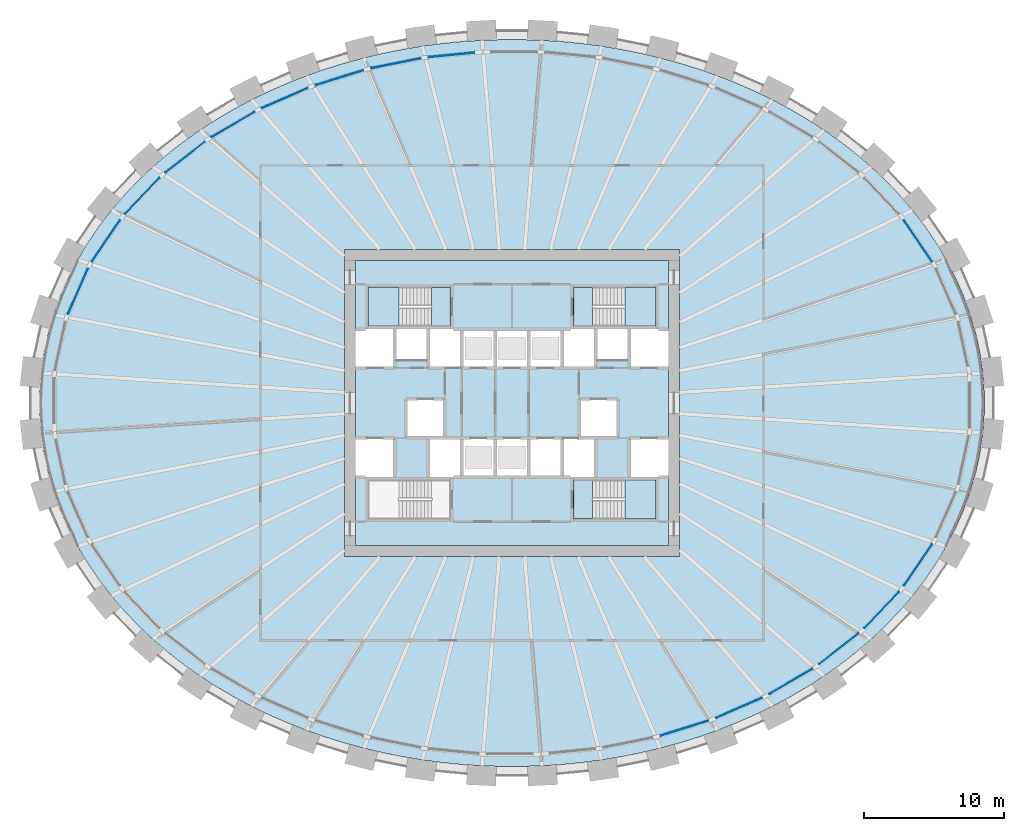
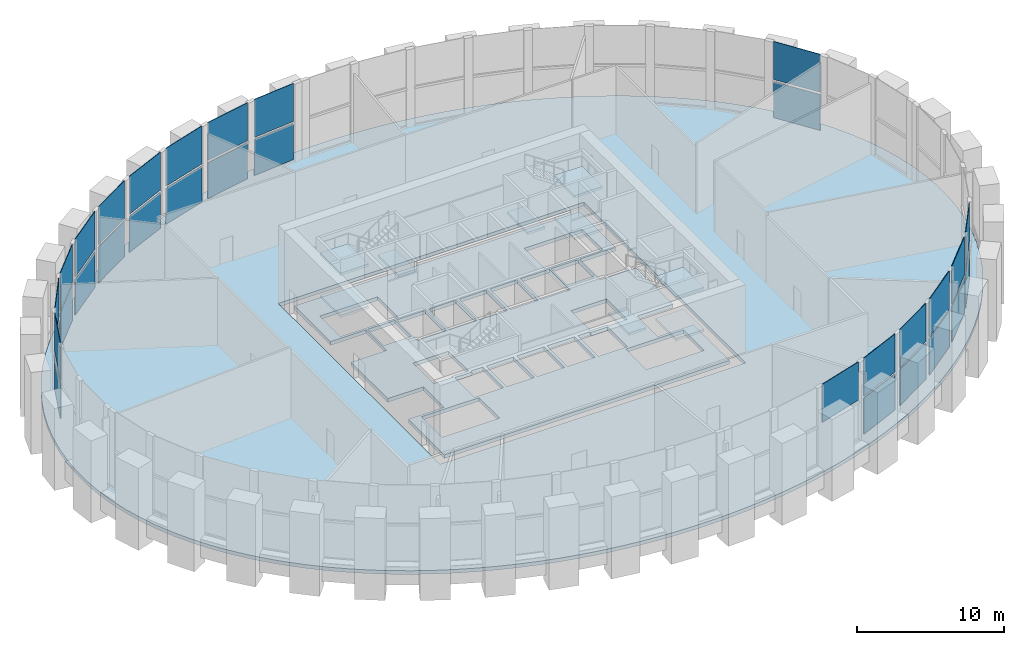
# One storey, part 6 of 16: 31 plates, 11 slabs, 6 elements without a shape of their own.
"""IFC4 building model written with IfcOpenShell, lengths in metres."""

from ifc_helpers import new_model, si_unit, direction, frame, origin, origin_2d, place, context, subcontext, project, spatial, polyline, rectangle, outline, extrude, source, transform, mapped, material, layer, layer_set, type_object, element, aggregate, save


model = new_model("IFC4")

# Units and contexts
model_context = context("Model", 3, precision=1e-05, world=origin(), true_north=direction((0.0, 1.0)))
body_context = subcontext(model_context, "Body", "Model", "MODEL_VIEW")
ifc_project = project(units=[si_unit("LENGTHUNIT", "METRE"), si_unit("AREAUNIT", "SQUARE_METRE"), si_unit("VOLUMEUNIT", "CUBIC_METRE"), si_unit("PLANEANGLEUNIT", "RADIAN"), si_unit("MASSUNIT", "GRAM", prefix="KILO")], contexts=[model_context])

# Site, building, storey
site_placement = place(None, origin())
site = spatial("IfcSite", under=ifc_project, at=site_placement, CompositionType="ELEMENT")
building_placement = place(site_placement, origin())
building = spatial("IfcBuilding", under=site, at=building_placement, Name="Embergate Tower", CompositionType="ELEMENT")
storey_placement = place(building_placement, frame((0.0, 0.0, 234.60009765625)))
storey = spatial("IfcBuildingStorey", under=building, at=storey_placement, Name="L54", CompositionType="ELEMENT", Elevation=234.60009765625)

# Slab
ifc_material_1 = material(Name="Concrete C50", Category="concrete")
ifc_layer_1 = layer(ifc_material_1, 0.300048828125)
ifc_layer_set_1 = layer_set([ifc_layer_1], Name="Concrete C50")
slab_type_1 = type_object("IfcSlabType", Name="Sky lobby floor slab C50 300", PredefinedType="FLOOR", material=ifc_layer_set_1)
shared_shape_1 = source(origin(), body_context, "Body", "SweptSolid", [
    extrude(outline(polyline([(0.0, 0.0), (1.43017578125, 0.0), (2.860107421875, 0.046142578125), (4.291015625, 0.14013671875), (5.715087890625, 0.280029296875), (7.130126953125, 0.466064453125), (8.547119140625, 0.701171875), (9.9501953125, 0.982177734375), (11.336181640625, 1.31005859375), (12.72509765625, 1.68896484375), (14.091064453125, 2.114013671875), (15.43212890625, 2.5849609375), (16.775146484375, 3.113037109375), (18.086181640625, 3.68603515625), (19.362060546875, 4.303955078125), (20.63818359375, 4.985107421875), (21.87109375, 5.7099609375), (23.06005859375, 6.47802734375), (24.240966796875, 7.316162109375), (25.3681640625, 8.196044921875), (26.440185546875, 9.115966796875), (27.4931640625, 10.113037109375), (28.47998046875, 11.14794921875), (29.399169921875, 12.218994140625), (30.281005859375, 13.3681640625), (31.086181640625, 14.551025390625), (31.81005859375, 15.76416015625), (32.47412109375, 17.048095703125), (33.048095703125, 18.357177734375), (33.531005859375, 19.68798828125), (33.93017578125, 21.071044921875), (34.231201171875, 22.468017578125), (34.43212890625, 23.8759765625), (34.5341796875, 25.302978515625), (34.5341796875, 26.733154296875), (34.43212890625, 28.16015625), (34.231201171875, 29.568115234375), (33.93017578125, 30.965087890625), (33.531005859375, 32.34814453125), (33.048095703125, 33.678955078125), (32.47412109375, 34.988037109375), (31.81005859375, 36.27197265625), (31.086181640625, 37.485107421875), (30.281005859375, 38.66796875), (29.399169921875, 39.817138671875), (28.47998046875, 40.88818359375), (27.4931640625, 41.923095703125), (26.440185546875, 42.920166015625), (25.3681640625, 43.840087890625), (24.240966796875, 44.719970703125), (23.06005859375, 45.55810546875), (21.87109375, 46.326171875), (20.63818359375, 47.051025390625), (19.362060546875, 47.732177734375), (18.086181640625, 48.35009765625), (16.775146484375, 48.923095703125), (15.43212890625, 49.451171875), (14.091064453125, 49.922119140625), (12.72509765625, 50.34716796875), (11.336181640625, 50.72607421875), (9.9501953125, 51.053955078125), (8.547119140625, 51.3349609375), (7.130126953125, 51.570068359375), (5.715087890625, 51.756103515625), (4.291015625, 51.89599609375), (2.860107421875, 51.989990234375), (1.43017578125, 52.0361328125), (0.0, 52.0361328125), (-1.429931640625, 51.989990234375), (-2.86083984375, 51.89599609375), (-4.284912109375, 51.756103515625), (-5.699951171875, 51.570068359375), (-7.116943359375, 51.3349609375), (-8.52001953125, 51.053955078125), (-9.906005859375, 50.72607421875), (-11.294921875, 50.34716796875), (-12.660888671875, 49.922119140625), (-14.001953125, 49.451171875), (-15.344970703125, 48.923095703125), (-16.656005859375, 48.35009765625), (-17.931884765625, 47.732177734375), (-19.2080078125, 47.051025390625), (-20.44091796875, 46.326171875), (-21.6298828125, 45.55810546875), (-22.810791015625, 44.719970703125), (-23.93798828125, 43.840087890625), (-25.010009765625, 42.920166015625), (-26.06298828125, 41.923095703125), (-27.0498046875, 40.88818359375), (-27.968994140625, 39.817138671875), (-28.850830078125, 38.66796875), (-29.656005859375, 37.485107421875), (-30.3798828125, 36.27197265625), (-31.0439453125, 34.988037109375), (-31.617919921875, 33.678955078125), (-32.100830078125, 32.34814453125), (-32.5, 30.965087890625), (-32.801025390625, 29.568115234375), (-33.001953125, 28.16015625), (-33.10400390625, 26.733154296875), (-33.10400390625, 25.302978515625), (-33.001953125, 23.8759765625), (-32.801025390625, 22.468017578125), (-32.5, 21.071044921875), (-32.100830078125, 19.68798828125), (-31.617919921875, 18.357177734375), (-31.0439453125, 17.048095703125), (-30.3798828125, 15.76416015625), (-29.656005859375, 14.551025390625), (-28.850830078125, 13.3681640625), (-27.968994140625, 12.218994140625), (-27.0498046875, 11.14794921875), (-26.06298828125, 10.113037109375), (-25.010009765625, 9.115966796875), (-23.93798828125, 8.196044921875), (-22.810791015625, 7.316162109375), (-21.6298828125, 6.47802734375), (-20.44091796875, 5.7099609375), (-19.2080078125, 4.985107421875), (-17.931884765625, 4.303955078125), (-16.656005859375, 3.68603515625), (-15.344970703125, 3.113037109375), (-14.001953125, 2.5849609375), (-12.660888671875, 2.114013671875), (-11.294921875, 1.68896484375), (-9.906005859375, 1.31005859375), (-8.52001953125, 0.982177734375), (-7.116943359375, 0.701171875), (-5.699951171875, 0.466064453125), (-4.284912109375, 0.280029296875), (-2.86083984375, 0.14013671875), (-1.429931640625, 0.046142578125), (0.0, 0.0)]), holes=[polyline([(-11.284912109375, 15.01806640625), (-11.284912109375, 37.01806640625), (12.715087890625, 37.01806640625), (12.715087890625, 15.01806640625), (-11.284912109375, 15.01806640625)])]), origin(), (0.0, 0.0, 1.0), 0.300048828125),
])
slab_1_placement = place(storey_placement, frame((-0.715087890625, -26.01806640625, -0.300048828125)))
element("IfcSlab", 1, at=slab_1_placement, inside=storey, type_object=slab_type_1, Name="SLB-L54-00", PredefinedType="FLOOR", context=body_context, shape_type="MappedRepresentation", body=[
    mapped(shared_shape_1, transform((0.0, 0.0, 0.0))),
])

# Curtain wall, plates
ifc_material_2 = material(Name="Aluminium and glass", Category="aluminium")
curtain_wall_type = type_object("IfcCurtainWallType", Name="Sky lobby high glazing", PredefinedType="NOTDEFINED", material=ifc_material_2)
curtain_wall_1_placement = place(storey_placement, origin())
curtain_wall_1 = element("IfcCurtainWall", 2, at=curtain_wall_1_placement, inside=storey, type_object=curtain_wall_type, Name="Sky lobby high glazing run 2", ObjectType="SKY LOBBY HIGH GLAZING", PredefinedType="USERDEFINED")
ifc_material_3 = material(Name="Triple glazing, low-emissivity coating", Category="glass")
ifc_layer_2 = layer(ifc_material_3, 0.0439453125)
ifc_layer_set_2 = layer_set([ifc_layer_2], Name="Triple glazing, low-emissivity coating")
plate_type = type_object("IfcPlateType", Name="Sky lobby glazing unit", PredefinedType="CURTAIN_PANEL", material=ifc_layer_set_2)
shared_shape_2 = source(origin(), body_context, "Body", "SweptSolid", [
    extrude(rectangle(XDim=3.53466796875, YDim=0.0439453125, at=origin_2d()), origin(), (0.0, 0.0, 1.0), 2.97998046875),
])
plate_1_placement = place(storey_placement, frame((-31.06884765625, 7.989501953125, 0.179931640625), z_axis=(0.0, 0.0, 1.0), x_axis=(-0.401656896229, -0.915790225822, 0.0)))
plate_1 = element("IfcPlate", 3, at=plate_1_placement, type_object=plate_type, Name="CW panel 9.1", PredefinedType="CURTAIN_PANEL", context=body_context, shape_type="MappedRepresentation", body=[
    mapped(shared_shape_2, transform((0.0, 0.0, 0.0))),
])
shared_shape_3 = source(origin(), body_context, "Body", "SweptSolid", [
    extrude(rectangle(XDim=3.53466796875, YDim=0.0439453125, at=origin_2d()), origin(), (0.0, 0.0, 1.0), 3.159912109375),
])
plate_2_placement = place(storey_placement, frame((-31.06884765625, 7.989501953125, 3.33984375), z_axis=(0.0, 0.0, 1.0), x_axis=(-0.401656896229, -0.915790225822, 0.0)))
plate_2 = element("IfcPlate", 4, at=plate_2_placement, type_object=plate_type, Name="CW panel 9.2", PredefinedType="CURTAIN_PANEL", context=body_context, shape_type="MappedRepresentation", body=[
    mapped(shared_shape_3, transform((0.0, 0.0, 0.0))),
])

# Curtain wall, plate
curtain_wall_2_placement = place(storey_placement, origin())
curtain_wall_2 = element("IfcCurtainWall", 5, at=curtain_wall_2_placement, inside=storey, type_object=curtain_wall_type, Name="Sky lobby high glazing run 1", ObjectType="SKY LOBBY HIGH GLAZING", PredefinedType="USERDEFINED")
shared_shape_4 = source(origin(), body_context, "Body", "SweptSolid", [
    extrude(rectangle(XDim=3.54443359375, YDim=0.0439453125, at=origin_2d()), origin(), (0.0, 0.0, 1.0), 2.97998046875),
])
plate_3_placement = place(storey_placement, frame((29.0732421875, 11.59619140625, 0.179931640625), z_axis=(0.0, 0.0, 1.0), x_axis=(-0.562346071572, 0.826901986809, 0.0)))
plate_3 = element("IfcPlate", 6, at=plate_3_placement, type_object=plate_type, Name="CW panel 3.1", PredefinedType="CURTAIN_PANEL", context=body_context, shape_type="MappedRepresentation", body=[
    mapped(shared_shape_4, transform((0.0, 0.0, 0.0))),
])

# Plate
plate_4_placement = place(storey_placement, frame((-29.0732421875, 11.59619140625, 0.179931640625), z_axis=(0.0, 0.0, 1.0), x_axis=(-0.562346071572, -0.826901986809, 0.0)))
plate_4 = element("IfcPlate", 7, at=plate_4_placement, type_object=plate_type, Name="CW panel 8.1", PredefinedType="CURTAIN_PANEL", context=body_context, shape_type="MappedRepresentation", body=[
    mapped(shared_shape_4, transform((0.0, 0.0, 0.0))),
])

# Curtain wall, plate
curtain_wall_3_placement = place(storey_placement, origin())
curtain_wall_3 = element("IfcCurtainWall", 8, at=curtain_wall_3_placement, inside=storey, type_object=curtain_wall_type, Name="Sky lobby high glazing run 4", ObjectType="SKY LOBBY HIGH GLAZING", PredefinedType="USERDEFINED")
plate_5_placement = place(storey_placement, frame((29.0732421875, -11.59619140625, 0.179931640625), z_axis=(0.0, 0.0, 1.0), x_axis=(0.562346071572, 0.826901986809, 0.0)))
plate_5 = element("IfcPlate", 9, at=plate_5_placement, type_object=plate_type, Name="CW panel 8.1", PredefinedType="CURTAIN_PANEL", context=body_context, shape_type="MappedRepresentation", body=[
    mapped(shared_shape_4, transform((0.0, 0.0, 0.0))),
])

# Plate
shared_shape_5 = source(origin(), body_context, "Body", "SweptSolid", [
    extrude(rectangle(XDim=3.54443359375, YDim=0.0439453125, at=origin_2d()), origin(), (0.0, 0.0, 1.0), 3.159912109375),
])
plate_6_placement = place(storey_placement, frame((29.0732421875, 11.59619140625, 3.33984375), z_axis=(0.0, 0.0, 1.0), x_axis=(-0.562346071572, 0.826901986809, 0.0)))
plate_6 = element("IfcPlate", 10, at=plate_6_placement, type_object=plate_type, Name="CW panel 3.2", PredefinedType="CURTAIN_PANEL", context=body_context, shape_type="MappedRepresentation", body=[
    mapped(shared_shape_5, transform((0.0, 0.0, 0.0))),
])

aggregate(curtain_wall_2, [plate_3, plate_6])

plate_7_placement = place(storey_placement, frame((-29.0732421875, 11.59619140625, 3.33984375), z_axis=(0.0, 0.0, 1.0), x_axis=(-0.562346071572, -0.826901986809, 0.0)))
plate_7 = element("IfcPlate", 11, at=plate_7_placement, type_object=plate_type, Name="CW panel 8.2", PredefinedType="CURTAIN_PANEL", context=body_context, shape_type="MappedRepresentation", body=[
    mapped(shared_shape_5, transform((0.0, 0.0, 0.0))),
])

plate_8_placement = place(storey_placement, frame((29.0732421875, -11.59619140625, 3.33984375), z_axis=(0.0, 0.0, 1.0), x_axis=(0.562346071572, 0.826901986809, 0.0)))
plate_8 = element("IfcPlate", 12, at=plate_8_placement, type_object=plate_type, Name="CW panel 8.2", PredefinedType="CURTAIN_PANEL", context=body_context, shape_type="MappedRepresentation", body=[
    mapped(shared_shape_5, transform((0.0, 0.0, 0.0))),
])

shared_shape_6 = source(origin(), body_context, "Body", "SweptSolid", [
    extrude(rectangle(XDim=3.55419921875, YDim=0.0439453125, at=origin_2d()), origin(), (0.0, 0.0, 1.0), 2.97998046875),
])
plate_9_placement = place(storey_placement, frame((-26.474609375, 14.81298828125, 0.179931640625), z_axis=(0.0, 0.0, 1.0), x_axis=(-0.690136310586, -0.723679399189, 0.0)))
plate_9 = element("IfcPlate", 13, at=plate_9_placement, type_object=plate_type, Name="CW panel 7.1", PredefinedType="CURTAIN_PANEL", context=body_context, shape_type="MappedRepresentation", body=[
    mapped(shared_shape_6, transform((0.0, 0.0, 0.0))),
])

plate_10_placement = place(storey_placement, frame((26.474609375, -14.81298828125, 0.179931640625), z_axis=(0.0, 0.0, 1.0), x_axis=(0.690136310586, 0.723679399189, 0.0)))
plate_10 = element("IfcPlate", 14, at=plate_10_placement, type_object=plate_type, Name="CW panel 7.1", PredefinedType="CURTAIN_PANEL", context=body_context, shape_type="MappedRepresentation", body=[
    mapped(shared_shape_6, transform((0.0, 0.0, 0.0))),
])

shared_shape_7 = source(origin(), body_context, "Body", "SweptSolid", [
    extrude(rectangle(XDim=3.55419921875, YDim=0.0439453125, at=origin_2d()), origin(), (0.0, 0.0, 1.0), 3.159912109375),
])
plate_11_placement = place(storey_placement, frame((-26.474609375, 14.81298828125, 3.33984375), z_axis=(0.0, 0.0, 1.0), x_axis=(-0.690136310586, -0.723679399189, 0.0)))
plate_11 = element("IfcPlate", 15, at=plate_11_placement, type_object=plate_type, Name="CW panel 7.2", PredefinedType="CURTAIN_PANEL", context=body_context, shape_type="MappedRepresentation", body=[
    mapped(shared_shape_7, transform((0.0, 0.0, 0.0))),
])

plate_12_placement = place(storey_placement, frame((26.474609375, -14.81298828125, 3.33984375), z_axis=(0.0, 0.0, 1.0), x_axis=(0.690136310586, 0.723679399189, 0.0)))
plate_12 = element("IfcPlate", 16, at=plate_12_placement, type_object=plate_type, Name="CW panel 7.2", PredefinedType="CURTAIN_PANEL", context=body_context, shape_type="MappedRepresentation", body=[
    mapped(shared_shape_7, transform((0.0, 0.0, 0.0))),
])

shared_shape_8 = source(origin(), body_context, "Body", "SweptSolid", [
    extrude(rectangle(XDim=3.5625, YDim=0.0439453125, at=origin_2d()), origin(), (0.0, 0.0, 1.0), 2.97998046875),
])
plate_13_placement = place(storey_placement, frame((-23.400390625, 17.5966796875, 0.179931640625), z_axis=(0.0, 0.0, 1.0), x_axis=(-0.788321193094, -0.615263924279, 0.0)))
plate_13 = element("IfcPlate", 17, at=plate_13_placement, type_object=plate_type, Name="CW panel 6.1", PredefinedType="CURTAIN_PANEL", context=body_context, shape_type="MappedRepresentation", body=[
    mapped(shared_shape_8, transform((0.0, 0.0, 0.0))),
])

plate_14_placement = place(storey_placement, frame((23.400390625, -17.5966796875, 0.179931640625), z_axis=(0.0, 0.0, 1.0), x_axis=(0.788321193094, 0.615263924279, 0.0)))
plate_14 = element("IfcPlate", 18, at=plate_14_placement, type_object=plate_type, Name="CW panel 6.1", PredefinedType="CURTAIN_PANEL", context=body_context, shape_type="MappedRepresentation", body=[
    mapped(shared_shape_8, transform((0.0, 0.0, 0.0))),
])

shared_shape_9 = source(origin(), body_context, "Body", "SweptSolid", [
    extrude(rectangle(XDim=3.5625, YDim=0.0439453125, at=origin_2d()), origin(), (0.0, 0.0, 1.0), 3.159912109375),
])
plate_15_placement = place(storey_placement, frame((-23.400390625, 17.5966796875, 3.33984375), z_axis=(0.0, 0.0, 1.0), x_axis=(-0.788321193094, -0.615263924279, 0.0)))
plate_15 = element("IfcPlate", 19, at=plate_15_placement, type_object=plate_type, Name="CW panel 6.2", PredefinedType="CURTAIN_PANEL", context=body_context, shape_type="MappedRepresentation", body=[
    mapped(shared_shape_9, transform((0.0, 0.0, 0.0))),
])

plate_16_placement = place(storey_placement, frame((23.400390625, -17.5966796875, 3.33984375), z_axis=(0.0, 0.0, 1.0), x_axis=(0.788321193094, 0.615263924279, 0.0)))
plate_16 = element("IfcPlate", 20, at=plate_16_placement, type_object=plate_type, Name="CW panel 6.2", PredefinedType="CURTAIN_PANEL", context=body_context, shape_type="MappedRepresentation", body=[
    mapped(shared_shape_9, transform((0.0, 0.0, 0.0))),
])

shared_shape_10 = source(origin(), body_context, "Body", "SweptSolid", [
    extrude(rectangle(XDim=3.569091796875, YDim=0.0439453125, at=origin_2d()), origin(), (0.0, 0.0, 1.0), 2.97998046875),
])
plate_17_placement = place(storey_placement, frame((-19.962646484375, 19.93359375, 0.179931640625), z_axis=(0.0, 0.0, 1.0), x_axis=(-0.862053167811, -0.50681785275, 0.0)))
plate_17 = element("IfcPlate", 21, at=plate_17_placement, type_object=plate_type, Name="CW panel 5.1", PredefinedType="CURTAIN_PANEL", context=body_context, shape_type="MappedRepresentation", body=[
    mapped(shared_shape_10, transform((0.0, 0.0, 0.0))),
])

plate_18_placement = place(storey_placement, frame((19.962646484375, -19.93359375, 0.179931640625), z_axis=(0.0, 0.0, 1.0), x_axis=(0.862053167811, 0.50681785275, 0.0)))
plate_18 = element("IfcPlate", 22, at=plate_18_placement, type_object=plate_type, Name="CW panel 5.1", PredefinedType="CURTAIN_PANEL", context=body_context, shape_type="MappedRepresentation", body=[
    mapped(shared_shape_10, transform((0.0, 0.0, 0.0))),
])

shared_shape_11 = source(origin(), body_context, "Body", "SweptSolid", [
    extrude(rectangle(XDim=3.569091796875, YDim=0.0439453125, at=origin_2d()), origin(), (0.0, 0.0, 1.0), 3.159912109375),
])
plate_19_placement = place(storey_placement, frame((-19.962646484375, 19.93359375, 3.33984375), z_axis=(0.0, 0.0, 1.0), x_axis=(-0.862053167811, -0.50681785275, 0.0)))
plate_19 = element("IfcPlate", 23, at=plate_19_placement, type_object=plate_type, Name="CW panel 5.2", PredefinedType="CURTAIN_PANEL", context=body_context, shape_type="MappedRepresentation", body=[
    mapped(shared_shape_11, transform((0.0, 0.0, 0.0))),
])

plate_20_placement = place(storey_placement, frame((19.962646484375, -19.93359375, 3.33984375), z_axis=(0.0, 0.0, 1.0), x_axis=(0.862053167811, 0.50681785275, 0.0)))
plate_20 = element("IfcPlate", 24, at=plate_20_placement, type_object=plate_type, Name="CW panel 5.2", PredefinedType="CURTAIN_PANEL", context=body_context, shape_type="MappedRepresentation", body=[
    mapped(shared_shape_11, transform((0.0, 0.0, 0.0))),
])

shared_shape_12 = source(origin(), body_context, "Body", "SweptSolid", [
    extrude(rectangle(XDim=3.57421875, YDim=0.0439453125, at=origin_2d()), origin(), (0.0, 0.0, 1.0), 2.97998046875),
])
plate_21_placement = place(storey_placement, frame((-16.25341796875, 21.826416015625, 0.179931640625), z_axis=(0.0, 0.0, 1.0), x_axis=(-0.916236211741, -0.400638495772, 0.0)))
plate_21 = element("IfcPlate", 25, at=plate_21_placement, type_object=plate_type, Name="CW panel 4.1", PredefinedType="CURTAIN_PANEL", context=body_context, shape_type="MappedRepresentation", body=[
    mapped(shared_shape_12, transform((0.0, 0.0, 0.0))),
])

plate_22_placement = place(storey_placement, frame((16.25341796875, -21.826416015625, 0.179931640625), z_axis=(0.0, 0.0, 1.0), x_axis=(0.916236211741, 0.400638495772, 0.0)))
plate_22 = element("IfcPlate", 26, at=plate_22_placement, type_object=plate_type, Name="CW panel 4.1", PredefinedType="CURTAIN_PANEL", context=body_context, shape_type="MappedRepresentation", body=[
    mapped(shared_shape_12, transform((0.0, 0.0, 0.0))),
])

shared_shape_13 = source(origin(), body_context, "Body", "SweptSolid", [
    extrude(rectangle(XDim=3.57421875, YDim=0.0439453125, at=origin_2d()), origin(), (0.0, 0.0, 1.0), 3.159912109375),
])
plate_23_placement = place(storey_placement, frame((-16.25341796875, 21.826416015625, 3.33984375), z_axis=(0.0, 0.0, 1.0), x_axis=(-0.916236211741, -0.400638495772, 0.0)))
plate_23 = element("IfcPlate", 27, at=plate_23_placement, type_object=plate_type, Name="CW panel 4.2", PredefinedType="CURTAIN_PANEL", context=body_context, shape_type="MappedRepresentation", body=[
    mapped(shared_shape_13, transform((0.0, 0.0, 0.0))),
])

plate_24_placement = place(storey_placement, frame((16.25341796875, -21.826416015625, 3.33984375), z_axis=(0.0, 0.0, 1.0), x_axis=(0.916236211741, 0.400638495772, 0.0)))
plate_24 = element("IfcPlate", 28, at=plate_24_placement, type_object=plate_type, Name="CW panel 4.2", PredefinedType="CURTAIN_PANEL", context=body_context, shape_type="MappedRepresentation", body=[
    mapped(shared_shape_13, transform((0.0, 0.0, 0.0))),
])

shared_shape_14 = source(origin(), body_context, "Body", "SweptSolid", [
    extrude(rectangle(XDim=3.577880859375, YDim=0.0439453125, at=origin_2d()), origin(), (0.0, 0.0, 1.0), 2.97998046875),
])
plate_25_placement = place(storey_placement, frame((-12.346435546875, 23.28369140625, 0.179931640625), z_axis=(0.0, 0.0, 1.0), x_axis=(-0.95477169822, -0.297339880067, 0.0)))
plate_25 = element("IfcPlate", 29, at=plate_25_placement, type_object=plate_type, Name="CW panel 3.1", PredefinedType="CURTAIN_PANEL", context=body_context, shape_type="MappedRepresentation", body=[
    mapped(shared_shape_14, transform((0.0, 0.0, 0.0))),
])

shared_shape_15 = source(origin(), body_context, "Body", "SweptSolid", [
    extrude(rectangle(XDim=3.577880859375, YDim=0.0439453125, at=origin_2d()), origin(), (0.0, 0.0, 1.0), 3.159912109375),
])
plate_26_placement = place(storey_placement, frame((-12.346435546875, 23.28369140625, 3.33984375), z_axis=(0.0, 0.0, 1.0), x_axis=(-0.95477169822, -0.297339880067, 0.0)))
plate_26 = element("IfcPlate", 30, at=plate_26_placement, type_object=plate_type, Name="CW panel 3.2", PredefinedType="CURTAIN_PANEL", context=body_context, shape_type="MappedRepresentation", body=[
    mapped(shared_shape_15, transform((0.0, 0.0, 0.0))),
])

plate_27_placement = place(storey_placement, frame((12.346435546875, -23.28369140625, 3.33984375), z_axis=(0.0, 0.0, 1.0), x_axis=(0.95477169822, 0.297339880067, 0.0)))
plate_27 = element("IfcPlate", 31, at=plate_27_placement, type_object=plate_type, Name="CW panel 3.2", PredefinedType="CURTAIN_PANEL", context=body_context, shape_type="MappedRepresentation", body=[
    mapped(shared_shape_15, transform((0.0, 0.0, 0.0))),
])

aggregate(curtain_wall_3, [plate_27, plate_22, plate_24, plate_18, plate_20, plate_14, plate_16, plate_10, plate_12, plate_5, plate_8])

shared_shape_16 = source(origin(), body_context, "Body", "SweptSolid", [
    extrude(rectangle(XDim=3.58056640625, YDim=0.0439453125, at=origin_2d()), origin(), (0.0, 0.0, 1.0), 2.97998046875),
])
plate_28_placement = place(storey_placement, frame((-8.302490234375, 24.31591796875, 0.179931640625), z_axis=(0.0, 0.0, 1.0), x_axis=(-0.980475907409, -0.196639250889, 0.0)))
plate_28 = element("IfcPlate", 32, at=plate_28_placement, type_object=plate_type, Name="CW panel 2.1", PredefinedType="CURTAIN_PANEL", context=body_context, shape_type="MappedRepresentation", body=[
    mapped(shared_shape_16, transform((0.0, 0.0, 0.0))),
])

shared_shape_17 = source(origin(), body_context, "Body", "SweptSolid", [
    extrude(rectangle(XDim=3.58056640625, YDim=0.0439453125, at=origin_2d()), origin(), (0.0, 0.0, 1.0), 3.159912109375),
])
plate_29_placement = place(storey_placement, frame((-8.302490234375, 24.31591796875, 3.33984375), z_axis=(0.0, 0.0, 1.0), x_axis=(-0.980475907409, -0.196639250889, 0.0)))
plate_29 = element("IfcPlate", 33, at=plate_29_placement, type_object=plate_type, Name="CW panel 2.2", PredefinedType="CURTAIN_PANEL", context=body_context, shape_type="MappedRepresentation", body=[
    mapped(shared_shape_17, transform((0.0, 0.0, 0.0))),
])

shared_shape_18 = source(origin(), body_context, "Body", "SweptSolid", [
    extrude(rectangle(XDim=3.281982421875, YDim=0.0439453125, at=origin_2d()), origin(), (0.0, 0.0, 1.0), 2.97998046875),
])
plate_30_placement = place(storey_placement, frame((-4.3212890625, 24.916748046875, 0.179931640625), z_axis=(0.0, 0.0, 1.0), x_axis=(-0.995203184788, -0.097829550688, 0.0)))
plate_30 = element("IfcPlate", 34, at=plate_30_placement, type_object=plate_type, Name="CW panel 1.1", PredefinedType="CURTAIN_PANEL", context=body_context, shape_type="MappedRepresentation", body=[
    mapped(shared_shape_18, transform((0.0, 0.0, 0.0))),
])

shared_shape_19 = source(origin(), body_context, "Body", "SweptSolid", [
    extrude(rectangle(XDim=3.281982421875, YDim=0.0439453125, at=origin_2d()), origin(), (0.0, 0.0, 1.0), 3.159912109375),
])
plate_31_placement = place(storey_placement, frame((-4.3212890625, 24.916748046875, 3.33984375), z_axis=(0.0, 0.0, 1.0), x_axis=(-0.995203184788, -0.097829550688, 0.0)))
plate_31 = element("IfcPlate", 35, at=plate_31_placement, type_object=plate_type, Name="CW panel 1.2", PredefinedType="CURTAIN_PANEL", context=body_context, shape_type="MappedRepresentation", body=[
    mapped(shared_shape_19, transform((0.0, 0.0, 0.0))),
])

aggregate(curtain_wall_1, [plate_30, plate_31, plate_28, plate_29, plate_25, plate_26, plate_21, plate_23, plate_17, plate_19, plate_13, plate_15, plate_9, plate_11, plate_4, plate_7, plate_1, plate_2])

# Stair, slabs
ifc_material_4 = material(Name="Exit stair")
stair_type = type_object("IfcStairType", Name="Exit stair", PredefinedType="HALF_TURN_STAIR", material=ifc_material_4)
stair_1_placement = place(storey_placement, origin())
stair_1 = element("IfcStair", 36, at=stair_1_placement, inside=storey, type_object=stair_type, Name="L54 Exit stair 1", PredefinedType="HALF_TURN_STAIR")
ifc_material_5 = material(Name="Concrete C40", Category="concrete")
ifc_layer_3 = layer(ifc_material_5, 0.199951171875)
ifc_layer_set_3 = layer_set([ifc_layer_3], Name="Concrete C40")
slab_type_2 = type_object("IfcSlabType", Name="Stair landing reinforced concrete", PredefinedType="LANDING", material=ifc_layer_set_3)
shared_shape_20 = source(origin(), body_context, "Body", "SweptSolid", [
    extrude(outline(polyline([(0.0, 0.0), (2.2099609375, 0.0), (2.2099609375, 2.800048828125), (0.0, 2.800048828125), (0.0, 0.0)])), origin(), (0.0, 0.0, 1.0), 0.2001953125),
])
slab_2_placement = place(storey_placement, frame((-10.300048828125, 5.5, 1.5498046875)))
slab_2 = element("IfcSlab", 37, at=slab_2_placement, type_object=slab_type_2, Name="ST1 landing 1", PredefinedType="LANDING", context=body_context, shape_type="MappedRepresentation", body=[
    mapped(shared_shape_20, transform((0.0, 0.0, 0.0))),
])
slab_3_placement = place(storey_placement, frame((-10.300048828125, 5.5, 5.0498046875)))
slab_3 = element("IfcSlab", 38, at=slab_3_placement, type_object=slab_type_2, Name="ST1 landing 3", PredefinedType="LANDING", context=body_context, shape_type="MappedRepresentation", body=[
    mapped(shared_shape_20, transform((0.0, 0.0, 0.0))),
])

stair_2_placement = place(storey_placement, origin())
stair_2 = element("IfcStair", 39, at=stair_2_placement, inside=storey, type_object=stair_type, Name="L54 Exit stair 2", PredefinedType="HALF_TURN_STAIR")
slab_4_placement = place(storey_placement, frame((8.090087890625, 5.5, 1.5498046875)))
slab_4 = element("IfcSlab", 40, at=slab_4_placement, type_object=slab_type_2, Name="ST2 landing 1", PredefinedType="LANDING", context=body_context, shape_type="MappedRepresentation", body=[
    mapped(shared_shape_20, transform((0.0, 0.0, 0.0))),
])
slab_5_placement = place(storey_placement, frame((8.090087890625, 5.5, 5.0498046875)))
slab_5 = element("IfcSlab", 41, at=slab_5_placement, type_object=slab_type_2, Name="ST2 landing 3", PredefinedType="LANDING", context=body_context, shape_type="MappedRepresentation", body=[
    mapped(shared_shape_20, transform((0.0, 0.0, 0.0))),
])

stair_3_placement = place(storey_placement, origin())
stair_3 = element("IfcStair", 42, at=stair_3_placement, inside=storey, type_object=stair_type, Name="L54 Exit stair 4", PredefinedType="HALF_TURN_STAIR")
slab_6_placement = place(storey_placement, frame((8.090087890625, -8.300048828125, 1.5498046875)))
slab_6 = element("IfcSlab", 43, at=slab_6_placement, type_object=slab_type_2, Name="ST4 landing 1", PredefinedType="LANDING", context=body_context, shape_type="MappedRepresentation", body=[
    mapped(shared_shape_20, transform((0.0, 0.0, 0.0))),
])
slab_7_placement = place(storey_placement, frame((8.090087890625, -8.300048828125, 5.0498046875)))
slab_7 = element("IfcSlab", 44, at=slab_7_placement, type_object=slab_type_2, Name="ST4 landing 3", PredefinedType="LANDING", context=body_context, shape_type="MappedRepresentation", body=[
    mapped(shared_shape_20, transform((0.0, 0.0, 0.0))),
])

# Slab
shared_shape_21 = source(origin(), body_context, "Body", "SweptSolid", [
    extrude(outline(polyline([(0.0, 0.0), (1.35009765625, 0.0), (1.35009765625, 2.800048828125), (0.0, 2.800048828125), (0.0, 0.0)])), origin(), (0.0, 0.0, 1.0), 0.2001953125),
])
slab_8_placement = place(storey_placement, frame((-5.75, 5.5, 3.2998046875)))
slab_8 = element("IfcSlab", 45, at=slab_8_placement, type_object=slab_type_2, Name="ST1 landing 2", PredefinedType="LANDING", context=body_context, shape_type="MappedRepresentation", body=[
    mapped(shared_shape_21, transform((0.0, 0.0, 0.0))),
])

aggregate(stair_1, [slab_2, slab_8, slab_3])

slab_9_placement = place(storey_placement, frame((4.39990234375, 5.5, 3.2998046875)))
slab_9 = element("IfcSlab", 46, at=slab_9_placement, type_object=slab_type_2, Name="ST2 landing 2", PredefinedType="LANDING", context=body_context, shape_type="MappedRepresentation", body=[
    mapped(shared_shape_21, transform((0.0, 0.0, 0.0))),
])

aggregate(stair_2, [slab_4, slab_9, slab_5])

slab_10_placement = place(storey_placement, frame((4.39990234375, -8.300048828125, 3.2998046875)))
slab_10 = element("IfcSlab", 47, at=slab_10_placement, type_object=slab_type_2, Name="ST4 landing 2", PredefinedType="LANDING", context=body_context, shape_type="MappedRepresentation", body=[
    mapped(shared_shape_21, transform((0.0, 0.0, 0.0))),
])

aggregate(stair_3, [slab_6, slab_10, slab_7])

ifc_layer_4 = layer(ifc_material_5, 0.300048828125)
ifc_layer_set_4 = layer_set([ifc_layer_4], Name="Concrete C40")
slab_type_3 = type_object("IfcSlabType", Name="Core floor slab 300 reinforced concrete", PredefinedType="FLOOR", material=ifc_layer_set_4)
shared_shape_22 = source(origin(), body_context, "Body", "SweptSolid", [
    extrude(outline(polyline([(0.0, 0.0), (22.39990234375, 0.0), (22.39990234375, 4.89990234375), (19.599853515625, 4.89990234375), (19.599853515625, 7.699951171875), (22.39990234375, 7.699951171875), (22.39990234375, 12.699951171875), (19.599853515625, 12.699951171875), (19.599853515625, 15.5), (22.39990234375, 15.5), (22.39990234375, 20.39990234375), (0.0, 20.39990234375), (0.0, 15.5), (2.800048828125, 15.5), (2.800048828125, 12.699951171875), (0.0, 12.699951171875), (0.0, 7.699951171875), (2.800048828125, 7.699951171875), (2.800048828125, 4.89990234375), (0.0, 4.89990234375), (0.0, 0.0)]), holes=[polyline([(0.89990234375, 1.89990234375), (0.89990234375, 4.699951171875), (5.43994140625, 4.699951171875), (5.43994140625, 1.89990234375), (0.89990234375, 1.89990234375)]), polyline([(16.9599609375, 1.89990234375), (16.9599609375, 4.699951171875), (21.5, 4.699951171875), (21.5, 1.89990234375), (16.9599609375, 1.89990234375)]), polyline([(5.199951171875, 4.89990234375), (5.199951171875, 7.574951171875), (6.52490234375, 7.574951171875), (6.52490234375, 7.699951171875), (7.474853515625, 7.699951171875), (7.474853515625, 4.89990234375), (5.199951171875, 4.89990234375)]), polyline([(7.724853515625, 4.89990234375), (7.724853515625, 7.699951171875), (9.875, 7.699951171875), (9.875, 4.89990234375), (7.724853515625, 4.89990234375)]), polyline([(10.125, 4.89990234375), (10.125, 7.699951171875), (12.27490234375, 7.699951171875), (12.27490234375, 4.89990234375), (10.125, 4.89990234375)]), polyline([(12.52490234375, 4.89990234375), (12.52490234375, 7.699951171875), (14.675048828125, 7.699951171875), (14.675048828125, 4.89990234375), (12.52490234375, 4.89990234375)]), polyline([(14.925048828125, 4.89990234375), (14.925048828125, 7.699951171875), (15.875, 7.699951171875), (15.875, 7.574951171875), (17.199951171875, 7.574951171875), (17.199951171875, 4.89990234375), (14.925048828125, 4.89990234375)]), polyline([(3.599853515625, 7.699951171875), (3.599853515625, 10.5), (6.39990234375, 10.5), (6.39990234375, 7.824951171875), (5.074951171875, 7.824951171875), (5.074951171875, 7.699951171875), (3.599853515625, 7.699951171875)]), polyline([(17.324951171875, 7.699951171875), (17.324951171875, 7.824951171875), (16.0, 7.824951171875), (16.0, 10.5), (18.800048828125, 10.5), (18.800048828125, 7.699951171875), (17.324951171875, 7.699951171875)]), polyline([(5.199951171875, 12.699951171875), (5.199951171875, 15.5), (7.474853515625, 15.5), (7.474853515625, 12.699951171875), (5.199951171875, 12.699951171875)]), polyline([(7.724853515625, 12.699951171875), (7.724853515625, 15.5), (9.875, 15.5), (9.875, 12.699951171875), (7.724853515625, 12.699951171875)]), polyline([(10.125, 12.699951171875), (10.125, 15.5), (12.27490234375, 15.5), (12.27490234375, 12.699951171875), (10.125, 12.699951171875)]), polyline([(12.52490234375, 12.699951171875), (12.52490234375, 15.5), (14.675048828125, 15.5), (14.675048828125, 12.699951171875), (12.52490234375, 12.699951171875)]), polyline([(14.925048828125, 12.699951171875), (14.925048828125, 15.5), (17.199951171875, 15.5), (17.199951171875, 12.699951171875), (14.925048828125, 12.699951171875)]), polyline([(2.925048828125, 13.300048828125), (2.925048828125, 15.5), (5.074951171875, 15.5), (5.074951171875, 13.300048828125), (2.925048828125, 13.300048828125)]), polyline([(17.324951171875, 13.300048828125), (17.324951171875, 15.5), (19.474853515625, 15.5), (19.474853515625, 13.300048828125), (17.324951171875, 13.300048828125)]), polyline([(0.89990234375, 15.699951171875), (0.89990234375, 18.5), (5.43994140625, 18.5), (5.43994140625, 15.699951171875), (0.89990234375, 15.699951171875)]), polyline([(16.9599609375, 15.699951171875), (16.9599609375, 18.5), (21.5, 18.5), (21.5, 15.699951171875), (16.9599609375, 15.699951171875)])]), origin(), (0.0, 0.0, 1.0), 0.300048828125),
])
slab_11_placement = place(storey_placement, frame((-11.199951171875, -10.199951171875, -0.300048828125)))
element("IfcSlab", 48, at=slab_11_placement, inside=storey, type_object=slab_type_3, Name="Core floor slab", PredefinedType="FLOOR", context=body_context, shape_type="MappedRepresentation", body=[
    mapped(shared_shape_22, transform((0.0, 0.0, 0.0))),
])

save(model, "model.ifc")
